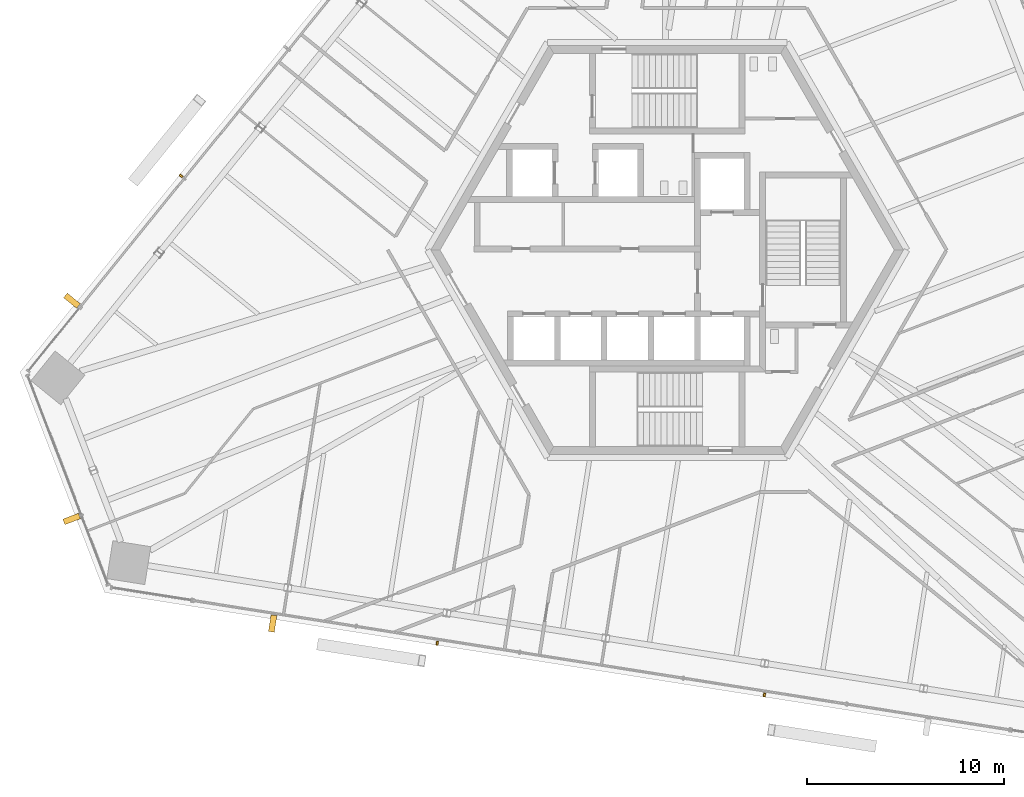
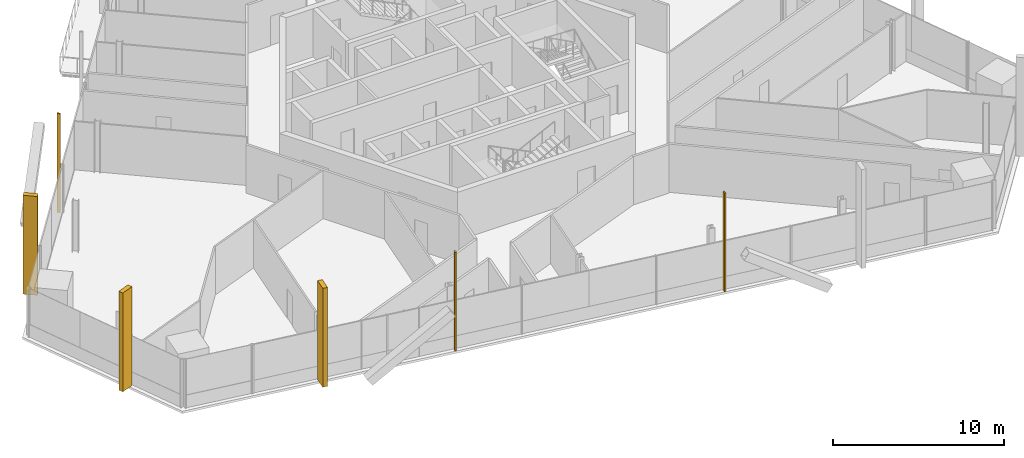
# One storey, part 16 of 21: 6 shading devices.
"""IFC4 building model written with IfcOpenShell, lengths in metres."""

from ifc_helpers import new_model, si_unit, direction, frame, origin, origin_2d, place, context, subcontext, project, spatial, rectangle, extrude, source, transform, mapped, material, element, save


model = new_model("IFC4")

# Units and contexts
model_context = context("Model", 3, precision=1e-05, world=origin(), true_north=direction((0.0, 1.0)))
body_context = subcontext(model_context, "Body", "Model", "MODEL_VIEW")
ifc_project = project(units=[si_unit("LENGTHUNIT", "METRE"), si_unit("AREAUNIT", "SQUARE_METRE"), si_unit("VOLUMEUNIT", "CUBIC_METRE"), si_unit("PLANEANGLEUNIT", "RADIAN"), si_unit("MASSUNIT", "GRAM", prefix="KILO")], contexts=[model_context])

# Site, building, storey
site_placement = place(None, origin())
site = spatial("IfcSite", under=ifc_project, at=site_placement, CompositionType="ELEMENT")
building_placement = place(site_placement, origin())
building = spatial("IfcBuilding", under=site, at=building_placement, Name="Triune Harvest Tower", CompositionType="ELEMENT")
storey_placement = place(building_placement, frame((0.0, 0.0, 146.10009765625)))
storey = spatial("IfcBuildingStorey", under=building, at=storey_placement, Name="L37", CompositionType="ELEMENT", Elevation=146.10009765625)

# Shading devices
ifc_material = material(Name="Aluminium bronze anodised", Category="aluminium")
shared_shape_1 = source(origin(), body_context, "Body", "SweptSolid", [
    extrude(rectangle(XDim=0.10009765625, YDim=0.199951171875, at=origin_2d()), origin(), (0.0, 0.0, 1.0), 7.0400390625),
])
for number, where, z_axis, x_axis, name in (
    (1, (-24.68505859375, 3.760986328125, 0.0), (0.0, 0.0, 1.0), (-0.629321459087, -0.777145096577, 0.0), "FN-1 fin B4-F3.10 L37"),
    (2, (-11.679931640625, -19.969482421875, 0.0), (0.0, 0.0, 1.0), (0.987688259912, -0.156434974453, 0.0), "FN-1 fin B4-F5.5 L37"),
    (3, (4.9375, -22.601318359375, 0.0), (0.0, 0.0, 1.0), (0.987688259912, -0.156434974453, 0.0), "FN-1 fin B4-F5.9 L37"),
):
    element("IfcShadingDevice", number, at=place(storey_placement, frame(where, z_axis=z_axis, x_axis=x_axis)), inside=storey, material=ifc_material, Name=name, ObjectType="FIN", PredefinedType="USERDEFINED", context=body_context, shape_type="MappedRepresentation", body=[
        mapped(shared_shape_1, transform((0.0, 0.0, 0.0), scale=1.0)),
    ])
shared_shape_2 = source(origin(), body_context, "Body", "SweptSolid", [
    extrude(rectangle(XDim=0.300048828125, YDim=0.85009765625, at=origin_2d()), origin(), (0.0, 0.0, 1.0), 7.0400390625),
])
for number, where, z_axis, x_axis, name in (
    (4, (-30.234375, -2.575439453125, 0.0), (0.0, 0.0, 1.0), (-0.629321459087, -0.777145096577, 0.0), "FN-2 fin B4-F3.12 L37"),
    (5, (-30.248046875, -13.659423828125, 0.0), (0.0, 0.0, 1.0), (0.358368910177, -0.933580057745, 0.0), "FN-2 fin B4-F4.3 L37"),
    (6, (-20.03955078125, -18.974365234375, 0.0), (0.0, 0.0, 1.0), (0.987688259912, -0.156434974453, 0.0), "FN-2 fin B4-F5.3 L37"),
):
    element("IfcShadingDevice", number, at=place(storey_placement, frame(where, z_axis=z_axis, x_axis=x_axis)), inside=storey, material=ifc_material, Name=name, ObjectType="FIN", PredefinedType="USERDEFINED", context=body_context, shape_type="MappedRepresentation", body=[
        mapped(shared_shape_2, transform((0.0, 0.0, 0.0), scale=1.0)),
    ])

save(model, "model.ifc")
